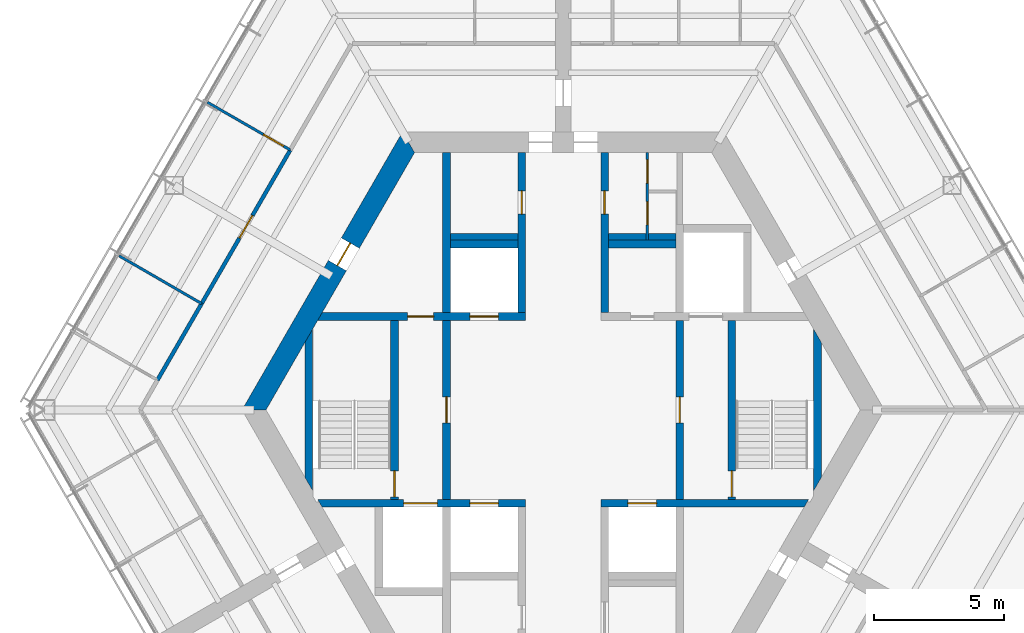
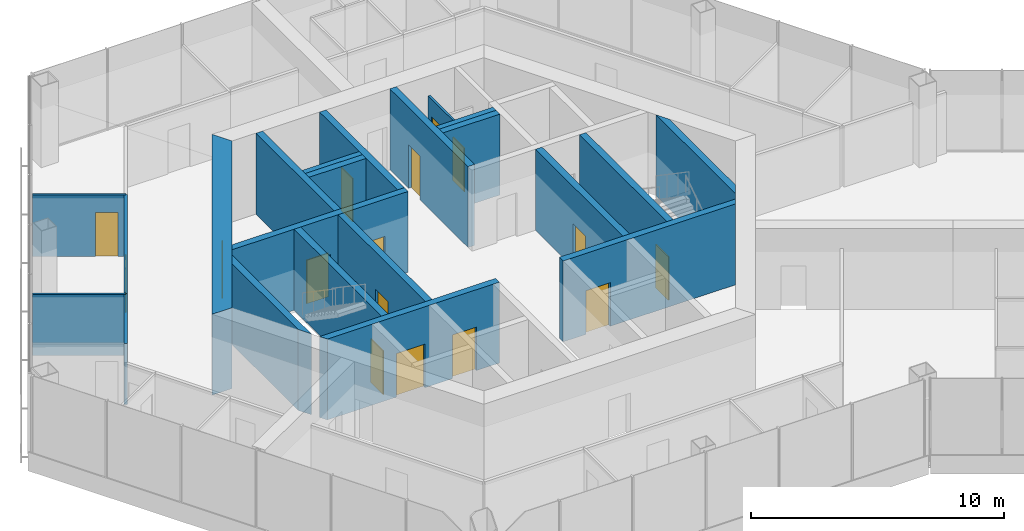
# One storey, part 8 of 13: 22 walls, 16 doors, 16 openings.
"""IFC4 building model written with IfcOpenShell, lengths in metres."""

from ifc_helpers import new_model, si_unit, direction, frame, frame_2d, origin, place, context, subcontext, project, spatial, polyline, rectangle, outline, extrude, material, layer, layer_set, type_object, element, fill, save


model = new_model("IFC4")

# Units and contexts
model_context = context("Model", 3, precision=1e-05, world=origin(), true_north=direction((0.0, 1.0)))
body_context = subcontext(model_context, "Body", "Model", "MODEL_VIEW")
ifc_project = project(units=[si_unit("LENGTHUNIT", "METRE"), si_unit("AREAUNIT", "SQUARE_METRE"), si_unit("VOLUMEUNIT", "CUBIC_METRE"), si_unit("PLANEANGLEUNIT", "RADIAN"), si_unit("MASSUNIT", "GRAM", prefix="KILO")], contexts=[model_context])

# Site, building, storey
site_placement = place(None, origin())
site = spatial("IfcSite", under=ifc_project, at=site_placement, CompositionType="ELEMENT")
building_placement = place(site_placement, origin())
building = spatial("IfcBuilding", under=site, at=building_placement, Name="Kasaneha Research Tower", CompositionType="ELEMENT")
storey_placement = place(building_placement, frame((0.0, 0.0, 286.89990234375)))
storey = spatial("IfcBuildingStorey", under=building, at=storey_placement, Name="L72", CompositionType="ELEMENT", Elevation=286.89990234375)

# Wall, openings, doors
ifc_material_1 = material(Name="Concrete Fc60", Category="concrete")
ifc_layer_1 = layer(ifc_material_1, 0.300048828125)
ifc_layer_set_1 = layer_set([ifc_layer_1], Name="Core internal wall 300 Fc60")
wall_type_1 = type_object("IfcWallType", Name="Core internal wall 300 Fc60", PredefinedType="SHEAR", material=ifc_layer_set_1)
wall_1_placement = place(storey_placement, frame((-9.3818359375, 3.60009765625, 0.0), z_axis=(0.0, 0.0, 1.0), x_axis=(1.0, 0.0, 0.0)))
wall_1 = element("IfcWall", 1, at=wall_1_placement, inside=storey, type_object=wall_type_1, Name="Core wall W1W L72", PredefinedType="SHEAR", context=body_context, shape_type="SweptSolid", body=[
    extrude(outline(polyline([(-0.086669921875, -0.14990234375), (3.3818359375, -0.14990234375), (4.3818359375, -0.14990234375), (5.781982421875, -0.14990234375), (6.882080078125, -0.14990234375), (7.931884765625, -0.14990234375), (7.931884765625, 0.14990234375), (6.882080078125, 0.14990234375), (5.781982421875, 0.14990234375), (4.3818359375, 0.14990234375), (3.3818359375, 0.14990234375), (0.086669921875, 0.14990234375), (-0.086669921875, -0.14990234375)])), origin(), (0.0, 0.0, 1.0), 3.900146484375),
])
opening_1_placement = place(wall_1_placement, frame((3.3818359375, 0.0, 0.0)))
opening_1 = element("IfcOpeningElement", 2, at=opening_1_placement, cuts=wall_1, Name="Opening L72-D12", PredefinedType="OPENING", context=body_context, shape_type="SweptSolid", body=[
    extrude(rectangle(XDim=1.0, YDim=2.10009765625, at=frame_2d((0.5, 1.050048828125))), frame((0.0, 0.16015625, 0.0), z_axis=(0.0, -1.0, 0.0), x_axis=(1.0, 0.0, 0.0)), (0.0, 0.0, 1.0), 0.320068359375),
])
opening_2_placement = place(wall_1_placement, frame((5.781982421875, 0.0, 0.0)))
opening_2 = element("IfcOpeningElement", 3, at=opening_2_placement, cuts=wall_1, Name="Opening LD-LH2-L72", PredefinedType="OPENING", context=body_context, shape_type="SweptSolid", body=[
    extrude(rectangle(XDim=1.10009765625, YDim=2.10009765625, at=frame_2d((0.550048828125, 1.050048828125))), frame((0.0, 0.16015625, 0.0), z_axis=(0.0, -1.0, 0.0), x_axis=(1.0, 0.0, 0.0)), (0.0, 0.0, 1.0), 0.320068359375),
])
ifc_material_2 = material(Name="Steel", Category="steel")
door_type_1 = type_object("IfcDoorType", Name="Lift landing door 1100x2100", OperationType="DOUBLE_DOOR_SLIDING", PredefinedType="DOOR", material=ifc_material_2)
door_1_placement = place(opening_2_placement, origin())
door_1 = element("IfcDoor", 4, at=door_1_placement, inside=storey, type_object=door_type_1, Name="Landing door LH2 LD-LH2-L72", OperationType="DOUBLE_DOOR_SLIDING", OverallHeight=2.10009765625, OverallWidth=1.10009765625, PredefinedType="DOOR", context=body_context, shape_type="SweptSolid", body=[
    extrude(rectangle(XDim=1.10009765625, YDim=2.10009765625, at=frame_2d((0.550048828125, 1.050048828125))), frame((0.0, 0.02490234375, 0.0), z_axis=(0.0, -1.0, 0.0), x_axis=(1.0, 0.0, 0.0)), (0.0, 0.0, 1.0), 0.050048828125),
])
fill(opening_2, door_1)
ifc_material_3 = material(Name="Steel", Category="steel")
door_type_2 = type_object("IfcDoorType", Name="Specified fire door FD60 1000x2100", OperationType="NOTDEFINED", PredefinedType="DOOR", material=ifc_material_3)
door_2_placement = place(opening_1_placement, origin())
door_2 = element("IfcDoor", 5, at=door_2_placement, inside=storey, type_object=door_type_2, Name="Vestibule to lobby door L72-D12", OperationType="SINGLE_SWING_LEFT", OverallHeight=2.10009765625, OverallWidth=1.0, PredefinedType="DOOR", context=body_context, shape_type="SweptSolid", body=[
    extrude(rectangle(XDim=1.0, YDim=2.10009765625, at=frame_2d((0.5, 1.050048828125))), frame((0.0, 0.02490234375, 0.0), z_axis=(0.0, -1.0, 0.0), x_axis=(1.0, 0.0, 0.0)), (0.0, 0.0, 1.0), 0.050048828125),
])
fill(opening_1, door_2)

wall_2_placement = place(storey_placement, frame((-9.3818359375, -3.60009765625, 0.0), z_axis=(0.0, 0.0, 1.0), x_axis=(1.0, 0.0, 0.0)))
wall_2 = element("IfcWall", 6, at=wall_2_placement, inside=storey, type_object=wall_type_1, Name="Core wall W2W L72", PredefinedType="SHEAR", context=body_context, shape_type="SweptSolid", body=[
    extrude(outline(polyline([(0.086669921875, -0.14990234375), (3.23193359375, -0.14990234375), (4.531982421875, -0.14990234375), (5.781982421875, -0.14990234375), (6.882080078125, -0.14990234375), (7.931884765625, -0.14990234375), (7.931884765625, 0.14990234375), (6.882080078125, 0.14990234375), (5.781982421875, 0.14990234375), (4.531982421875, 0.14990234375), (3.23193359375, 0.14990234375), (-0.086669921875, 0.14990234375), (0.086669921875, -0.14990234375)])), origin(), (0.0, 0.0, 1.0), 3.900146484375),
])
opening_3_placement = place(wall_2_placement, frame((5.781982421875, 0.0, 0.0)))
opening_3 = element("IfcOpeningElement", 7, at=opening_3_placement, cuts=wall_2, Name="Opening LD-LH1-L72", PredefinedType="OPENING", context=body_context, shape_type="SweptSolid", body=[
    extrude(rectangle(XDim=1.10009765625, YDim=2.10009765625, at=frame_2d((0.550048828125, 1.050048828125))), frame((0.0, 0.16015625, 0.0), z_axis=(0.0, -1.0, 0.0), x_axis=(1.0, 0.0, 0.0)), (0.0, 0.0, 1.0), 0.320068359375),
])
opening_4_placement = place(wall_2_placement, frame((3.23193359375, 0.0, 0.0)))
opening_4 = element("IfcOpeningElement", 8, at=opening_4_placement, cuts=wall_2, Name="Opening LD-FL2-L72", PredefinedType="OPENING", context=body_context, shape_type="SweptSolid", body=[
    extrude(rectangle(XDim=1.300048828125, YDim=2.10009765625, at=frame_2d((0.64990234375, 1.050048828125))), frame((0.0, 0.16015625, 0.0), z_axis=(0.0, -1.0, 0.0), x_axis=(1.0, 0.0, 0.0)), (0.0, 0.0, 1.0), 0.320068359375),
])
door_3_placement = place(opening_3_placement, origin())
door_3 = element("IfcDoor", 9, at=door_3_placement, inside=storey, type_object=door_type_1, Name="Landing door LH1 LD-LH1-L72", OperationType="DOUBLE_DOOR_SLIDING", OverallHeight=2.10009765625, OverallWidth=1.10009765625, PredefinedType="DOOR", context=body_context, shape_type="SweptSolid", body=[
    extrude(rectangle(XDim=1.10009765625, YDim=2.10009765625, at=frame_2d((0.550048828125, 1.050048828125))), frame((0.0, 0.02490234375, 0.0), z_axis=(0.0, -1.0, 0.0), x_axis=(1.0, 0.0, 0.0)), (0.0, 0.0, 1.0), 0.050048828125),
])
fill(opening_3, door_3)
ifc_material_4 = material(Name="Steel", Category="steel")
door_type_3 = type_object("IfcDoorType", Name="Lift landing door 1300x2100", OperationType="DOUBLE_DOOR_SLIDING", PredefinedType="DOOR", material=ifc_material_4)
door_4_placement = place(opening_4_placement, origin())
door_4 = element("IfcDoor", 10, at=door_4_placement, inside=storey, type_object=door_type_3, Name="Landing door FL2 LD-FL2-L72", OperationType="DOUBLE_DOOR_SLIDING", OverallHeight=2.10009765625, OverallWidth=1.300048828125, PredefinedType="DOOR", context=body_context, shape_type="SweptSolid", body=[
    extrude(rectangle(XDim=1.300048828125, YDim=2.10009765625, at=frame_2d((0.64990234375, 1.050048828125))), frame((0.0, 0.02490234375, 0.0), z_axis=(0.0, -1.0, 0.0), x_axis=(1.0, 0.0, 0.0)), (0.0, 0.0, 1.0), 0.050048828125),
])
fill(opening_4, door_4)

# Wall, opening, door
wall_3_placement = place(storey_placement, frame((1.449951171875, -3.60009765625, 0.0), z_axis=(0.0, 0.0, 1.0), x_axis=(1.0, 0.0, 0.0)))
wall_3 = element("IfcWall", 11, at=wall_3_placement, inside=storey, type_object=wall_type_1, Name="Core wall W2E L72", PredefinedType="SHEAR", context=body_context, shape_type="SweptSolid", body=[
    extrude(outline(polyline([(0.0, -0.14990234375), (1.050048828125, -0.14990234375), (2.150146484375, -0.14990234375), (7.84521484375, -0.14990234375), (8.0185546875, 0.14990234375), (2.150146484375, 0.14990234375), (1.050048828125, 0.14990234375), (0.0, 0.14990234375), (0.0, -0.14990234375)])), origin(), (0.0, 0.0, 1.0), 3.900146484375),
])
opening_5_placement = place(wall_3_placement, frame((1.050048828125, 0.0, 0.0)))
opening_5 = element("IfcOpeningElement", 12, at=opening_5_placement, cuts=wall_3, Name="Opening LD-LH3-L72", PredefinedType="OPENING", context=body_context, shape_type="SweptSolid", body=[
    extrude(rectangle(XDim=1.10009765625, YDim=2.10009765625, at=frame_2d((0.550048828125, 1.050048828125))), frame((0.0, 0.16015625, 0.0), z_axis=(0.0, -1.0, 0.0), x_axis=(1.0, 0.0, 0.0)), (0.0, 0.0, 1.0), 0.320068359375),
])
door_5_placement = place(opening_5_placement, origin())
door_5 = element("IfcDoor", 13, at=door_5_placement, inside=storey, type_object=door_type_1, Name="Landing door LH3 LD-LH3-L72", OperationType="DOUBLE_DOOR_SLIDING", OverallHeight=2.10009765625, OverallWidth=1.10009765625, PredefinedType="DOOR", context=body_context, shape_type="SweptSolid", body=[
    extrude(rectangle(XDim=1.10009765625, YDim=2.10009765625, at=frame_2d((0.550048828125, 1.050048828125))), frame((0.0, 0.02490234375, 0.0), z_axis=(0.0, -1.0, 0.0), x_axis=(1.0, 0.0, 0.0)), (0.0, 0.0, 1.0), 0.050048828125),
])
fill(opening_5, door_5)

wall_4_placement = place(storey_placement, frame((-1.60009765625, 3.75, 0.0), z_axis=(0.0, 0.0, 1.0), x_axis=(0.0, 1.0, 0.0)))
wall_4 = element("IfcWall", 14, at=wall_4_placement, inside=storey, type_object=wall_type_1, Name="Core wall CNW L72", PredefinedType="SHEAR", context=body_context, shape_type="SweptSolid", body=[
    extrude(rectangle(XDim=6.175048828125, YDim=0.300048828125, at=frame_2d((3.08740234375, 0.0))), origin(), (0.0, 0.0, 1.0), 3.900146484375),
])
opening_6_placement = place(wall_4_placement, frame((3.800048828125, 0.0, 0.0)))
opening_6 = element("IfcOpeningElement", 15, at=opening_6_placement, cuts=wall_4, Name="Opening L72-D13", PredefinedType="OPENING", context=body_context, shape_type="SweptSolid", body=[
    extrude(rectangle(XDim=0.89990234375, YDim=2.10009765625, at=frame_2d((0.449951171875, 1.050048828125))), frame((0.0, 0.16015625, 0.0), z_axis=(0.0, -1.0, 0.0), x_axis=(1.0, 0.0, 0.0)), (0.0, 0.0, 1.0), 0.320068359375),
])
ifc_material_5 = material(Name="Steel", Category="steel")
door_type_4 = type_object("IfcDoorType", Name="Toilet door FD20 900x2100", OperationType="NOTDEFINED", PredefinedType="DOOR", material=ifc_material_5)
door_6_placement = place(opening_6_placement, origin())
door_6 = element("IfcDoor", 16, at=door_6_placement, inside=storey, type_object=door_type_4, Name="Men's WC door L72-D13", OperationType="SINGLE_SWING_LEFT", OverallHeight=2.10009765625, OverallWidth=0.89990234375, PredefinedType="DOOR", context=body_context, shape_type="SweptSolid", body=[
    extrude(rectangle(XDim=0.89990234375, YDim=2.10009765625, at=frame_2d((0.449951171875, 1.050048828125))), frame((0.0, 0.02490234375, 0.0), z_axis=(0.0, -1.0, 0.0), x_axis=(1.0, 0.0, 0.0)), (0.0, 0.0, 1.0), 0.050048828125),
])
fill(opening_6, door_6)

wall_5_placement = place(storey_placement, frame((1.60009765625, 3.75, 0.0), z_axis=(0.0, 0.0, 1.0), x_axis=(0.0, 1.0, 0.0)))
wall_5 = element("IfcWall", 17, at=wall_5_placement, inside=storey, type_object=wall_type_1, Name="Core wall CNE L72", PredefinedType="SHEAR", context=body_context, shape_type="SweptSolid", body=[
    extrude(rectangle(XDim=6.175048828125, YDim=0.300048828125, at=frame_2d((3.08740234375, 0.0))), origin(), (0.0, 0.0, 1.0), 3.900146484375),
])
opening_7_placement = place(wall_5_placement, frame((3.800048828125, 0.0, 0.0)))
opening_7 = element("IfcOpeningElement", 18, at=opening_7_placement, cuts=wall_5, Name="Opening L72-D14", PredefinedType="OPENING", context=body_context, shape_type="SweptSolid", body=[
    extrude(rectangle(XDim=0.89990234375, YDim=2.10009765625, at=frame_2d((0.449951171875, 1.050048828125))), frame((0.0, 0.16015625, 0.0), z_axis=(0.0, -1.0, 0.0), x_axis=(1.0, 0.0, 0.0)), (0.0, 0.0, 1.0), 0.320068359375),
])
door_7_placement = place(opening_7_placement, origin())
door_7 = element("IfcDoor", 19, at=door_7_placement, inside=storey, type_object=door_type_4, Name="Women's WC door L72-D14", OperationType="SINGLE_SWING_LEFT", OverallHeight=2.10009765625, OverallWidth=0.89990234375, PredefinedType="DOOR", context=body_context, shape_type="SweptSolid", body=[
    extrude(rectangle(XDim=0.89990234375, YDim=2.10009765625, at=frame_2d((0.449951171875, 1.050048828125))), frame((0.0, 0.02490234375, 0.0), z_axis=(0.0, -1.0, 0.0), x_axis=(1.0, 0.0, 0.0)), (0.0, 0.0, 1.0), 0.050048828125),
])
fill(opening_7, door_7)

wall_6_placement = place(storey_placement, frame((-4.5, -3.449951171875, 0.0), z_axis=(0.0, 0.0, 1.0), x_axis=(0.0, 1.0, 0.0)))
wall_6 = element("IfcWall", 20, at=wall_6_placement, inside=storey, type_object=wall_type_1, Name="Core wall LBW L72", PredefinedType="SHEAR", context=body_context, shape_type="SweptSolid", body=[
    extrude(rectangle(XDim=6.89990234375, YDim=0.300048828125, at=frame_2d((3.449951171875, 0.0))), origin(), (0.0, 0.0, 1.0), 3.900146484375),
])
opening_8_placement = place(wall_6_placement, frame((2.949951171875, 0.0, 0.0)))
opening_8 = element("IfcOpeningElement", 21, at=opening_8_placement, cuts=wall_6, Name="Opening L72-D09", PredefinedType="OPENING", context=body_context, shape_type="SweptSolid", body=[
    extrude(rectangle(XDim=1.0, YDim=2.10009765625, at=frame_2d((0.5, 1.050048828125))), frame((0.0, 0.16015625, 0.0), z_axis=(0.0, -1.0, 0.0), x_axis=(1.0, 0.0, 0.0)), (0.0, 0.0, 1.0), 0.320068359375),
])
door_8_placement = place(opening_8_placement, origin())
door_8 = element("IfcDoor", 22, at=door_8_placement, inside=storey, type_object=door_type_2, Name="Lift lobby door west L72-D09", OperationType="SINGLE_SWING_LEFT", OverallHeight=2.10009765625, OverallWidth=1.0, PredefinedType="DOOR", context=body_context, shape_type="SweptSolid", body=[
    extrude(rectangle(XDim=1.0, YDim=2.10009765625, at=frame_2d((0.5, 1.050048828125))), frame((0.0, 0.02490234375, 0.0), z_axis=(0.0, -1.0, 0.0), x_axis=(1.0, 0.0, 0.0)), (0.0, 0.0, 1.0), 0.050048828125),
])
fill(opening_8, door_8)

wall_7_placement = place(storey_placement, frame((4.5, -3.449951171875, 0.0), z_axis=(0.0, 0.0, 1.0), x_axis=(0.0, 1.0, 0.0)))
wall_7 = element("IfcWall", 23, at=wall_7_placement, inside=storey, type_object=wall_type_1, Name="Core wall LBE L72", PredefinedType="SHEAR", context=body_context, shape_type="SweptSolid", body=[
    extrude(rectangle(XDim=6.89990234375, YDim=0.300048828125, at=frame_2d((3.449951171875, 0.0))), origin(), (0.0, 0.0, 1.0), 3.900146484375),
])
opening_9_placement = place(wall_7_placement, frame((2.949951171875, 0.0, 0.0)))
opening_9 = element("IfcOpeningElement", 24, at=opening_9_placement, cuts=wall_7, Name="Opening L72-D08", PredefinedType="OPENING", context=body_context, shape_type="SweptSolid", body=[
    extrude(rectangle(XDim=1.0, YDim=2.10009765625, at=frame_2d((0.5, 1.050048828125))), frame((0.0, 0.16015625, 0.0), z_axis=(0.0, -1.0, 0.0), x_axis=(1.0, 0.0, 0.0)), (0.0, 0.0, 1.0), 0.320068359375),
])
door_9_placement = place(opening_9_placement, origin())
door_9 = element("IfcDoor", 25, at=door_9_placement, inside=storey, type_object=door_type_2, Name="Lift lobby door east L72-D08", OperationType="SINGLE_SWING_LEFT", OverallHeight=2.10009765625, OverallWidth=1.0, PredefinedType="DOOR", context=body_context, shape_type="SweptSolid", body=[
    extrude(rectangle(XDim=1.0, YDim=2.10009765625, at=frame_2d((0.5, 1.050048828125))), frame((0.0, 0.02490234375, 0.0), z_axis=(0.0, -1.0, 0.0), x_axis=(1.0, 0.0, 0.0)), (0.0, 0.0, 1.0), 0.050048828125),
])
fill(opening_9, door_9)

wall_8_placement = place(storey_placement, frame((-6.5, -3.449951171875, 0.0), z_axis=(0.0, 0.0, 1.0), x_axis=(0.0, 1.0, 0.0)))
wall_8 = element("IfcWall", 26, at=wall_8_placement, inside=storey, type_object=wall_type_1, Name="Core wall ANW L72", PredefinedType="SHEAR", context=body_context, shape_type="SweptSolid", body=[
    extrude(rectangle(XDim=6.89990234375, YDim=0.300048828125, at=frame_2d((3.449951171875, 0.0))), origin(), (0.0, 0.0, 1.0), 3.900146484375),
])
opening_10_placement = place(wall_8_placement, frame((0.10009765625, 0.0, 0.0)))
opening_10 = element("IfcOpeningElement", 27, at=opening_10_placement, cuts=wall_8, Name="Opening L72-D11", PredefinedType="OPENING", context=body_context, shape_type="SweptSolid", body=[
    extrude(rectangle(XDim=1.0, YDim=2.10009765625, at=frame_2d((0.5, 1.050048828125))), frame((0.0, 0.16015625, 0.0), z_axis=(0.0, -1.0, 0.0), x_axis=(1.0, 0.0, 0.0)), (0.0, 0.0, 1.0), 0.320068359375),
])
door_10_placement = place(opening_10_placement, origin())
door_10 = element("IfcDoor", 28, at=door_10_placement, inside=storey, type_object=door_type_2, Name="Stair 2 door L72-D11", OperationType="SINGLE_SWING_LEFT", OverallHeight=2.10009765625, OverallWidth=1.0, PredefinedType="DOOR", context=body_context, shape_type="SweptSolid", body=[
    extrude(rectangle(XDim=1.0, YDim=2.10009765625, at=frame_2d((0.5, 1.050048828125))), frame((0.0, 0.02490234375, 0.0), z_axis=(0.0, -1.0, 0.0), x_axis=(1.0, 0.0, 0.0)), (0.0, 0.0, 1.0), 0.050048828125),
])
fill(opening_10, door_10)

wall_9_placement = place(storey_placement, frame((6.5, -3.449951171875, 0.0), z_axis=(0.0, 0.0, 1.0), x_axis=(0.0, 1.0, 0.0)))
wall_9 = element("IfcWall", 29, at=wall_9_placement, inside=storey, type_object=wall_type_1, Name="Core wall ANE L72", PredefinedType="SHEAR", context=body_context, shape_type="SweptSolid", body=[
    extrude(rectangle(XDim=6.89990234375, YDim=0.300048828125, at=frame_2d((3.449951171875, 0.0))), origin(), (0.0, 0.0, 1.0), 3.900146484375),
])
opening_11_placement = place(wall_9_placement, frame((0.10009765625, 0.0, 0.0)))
opening_11 = element("IfcOpeningElement", 30, at=opening_11_placement, cuts=wall_9, Name="Opening L72-D10", PredefinedType="OPENING", context=body_context, shape_type="SweptSolid", body=[
    extrude(rectangle(XDim=1.0, YDim=2.10009765625, at=frame_2d((0.5, 1.050048828125))), frame((0.0, 0.16015625, 0.0), z_axis=(0.0, -1.0, 0.0), x_axis=(1.0, 0.0, 0.0)), (0.0, 0.0, 1.0), 0.320068359375),
])
door_11_placement = place(opening_11_placement, origin())
door_11 = element("IfcDoor", 31, at=door_11_placement, inside=storey, type_object=door_type_2, Name="Stair 1 door L72-D10", OperationType="SINGLE_SWING_LEFT", OverallHeight=2.10009765625, OverallWidth=1.0, PredefinedType="DOOR", context=body_context, shape_type="SweptSolid", body=[
    extrude(rectangle(XDim=1.0, YDim=2.10009765625, at=frame_2d((0.5, 1.050048828125))), frame((0.0, 0.02490234375, 0.0), z_axis=(0.0, -1.0, 0.0), x_axis=(1.0, 0.0, 0.0)), (0.0, 0.0, 1.0), 0.050048828125),
])
fill(opening_11, door_11)

# Walls
wall_10_placement = place(storey_placement, frame((-4.5, 3.75, 0.0), z_axis=(0.0, 0.0, 1.0), x_axis=(0.0, 1.0, 0.0)))
element("IfcWall", 32, at=wall_10_placement, inside=storey, type_object=wall_type_1, Name="Core wall VNW L72", PredefinedType="SHEAR", context=body_context, shape_type="SweptSolid", body=[
    extrude(rectangle(XDim=6.175048828125, YDim=0.300048828125, at=frame_2d((3.08740234375, 0.0))), origin(), (0.0, 0.0, 1.0), 3.900146484375),
])
for number, where, z_axis, x_axis, name in (
    (33, (-4.35009765625, 6.39990234375, 0.0), (0.0, 0.0, 1.0), (1.0, 0.0, 0.0), "Core wall N1N L72"),
    (34, (1.75, 6.39990234375, 0.0), (0.0, 0.0, 1.0), (1.0, 0.0, 0.0), "Core wall N3N L72"),
):
    element("IfcWall", number, at=place(storey_placement, frame(where, z_axis=z_axis, x_axis=x_axis)), inside=storey, type_object=wall_type_1, Name=name, PredefinedType="SHEAR", context=body_context, shape_type="SweptSolid", body=[
        extrude(rectangle(XDim=2.60009765625, YDim=0.300048828125, at=frame_2d((1.300048828125, 0.0))), origin(), (0.0, 0.0, 1.0), 3.900146484375),
    ])
wall_11_placement = place(storey_placement, frame((9.807861328125, -2.8623046875, 0.0), z_axis=(0.0, 0.0, 1.0), x_axis=(0.0, 1.0, 0.0)))
element("IfcWall", 35, at=wall_11_placement, inside=storey, type_object=wall_type_1, Name="Core wall STE L72", PredefinedType="SHEAR", context=body_context, shape_type="SweptSolid", body=[
    extrude(outline(polyline([(0.259765625, -0.14990234375), (5.46484375, -0.14990234375), (5.984375, 0.14990234375), (-0.259765625, 0.14990234375), (0.259765625, -0.14990234375)])), origin(), (0.0, 0.0, 1.0), 3.900146484375),
])
wall_12_placement = place(storey_placement, frame((-9.807861328125, -2.8623046875, 0.0), z_axis=(0.0, 0.0, 1.0), x_axis=(0.0, 1.0, 0.0)))
element("IfcWall", 36, at=wall_12_placement, inside=storey, type_object=wall_type_1, Name="Core wall STW L72", PredefinedType="SHEAR", context=body_context, shape_type="SweptSolid", body=[
    extrude(outline(polyline([(-0.259765625, -0.14990234375), (5.984375, -0.14990234375), (5.46484375, 0.14990234375), (0.259765625, 0.14990234375), (-0.259765625, -0.14990234375)])), origin(), (0.0, 0.0, 1.0), 3.900146484375),
])

# Wall, opening, door
ifc_material_6 = material(Name="Concrete Fc60", Category="concrete")
ifc_layer_2 = layer(ifc_material_6, 0.800048828125)
ifc_layer_set_2 = layer_set([ifc_layer_2], Name="Core wall 800 Fc60")
wall_type_2 = type_object("IfcWallType", Name="Core wall 800 Fc60", PredefinedType="SHEAR", material=ifc_layer_set_2)
wall_13_placement = place(storey_placement, frame((-5.961181640625, 10.324951171875, 0.0), z_axis=(0.0, 0.0, 1.0), x_axis=(-0.500004296715, -0.866022923061, 0.0)))
wall_13 = element("IfcWall", 37, at=wall_13_placement, inside=storey, type_object=wall_type_2, Name="Core wall 150 L72", PredefinedType="SHEAR", context=body_context, shape_type="SweptSolid", body=[
    extrude(outline(polyline([(-0.23095703125, -0.39990234375), (4.494140625, -0.39990234375), (5.494140625, -0.39990234375), (12.1533203125, -0.39990234375), (11.69140625, 0.39990234375), (5.494140625, 0.39990234375), (4.494140625, 0.39990234375), (0.23095703125, 0.39990234375), (-0.23095703125, -0.39990234375)])), origin(), (0.0, 0.0, 1.0), 3.900146484375),
])
opening_12_placement = place(wall_13_placement, frame((4.494140625, 0.0, 0.0)))
opening_12 = element("IfcOpeningElement", 38, at=opening_12_placement, cuts=wall_13, Name="Opening L72-D07", PredefinedType="OPENING", context=body_context, shape_type="SweptSolid", body=[
    extrude(rectangle(XDim=1.0, YDim=2.10009765625, at=frame_2d((0.5, 1.050048828125))), frame((0.0, 0.41015625, 0.0), z_axis=(0.0, -1.0, 0.0), x_axis=(1.0, 0.0, 0.0)), (0.0, 0.0, 1.0), 0.820068359375),
])
ifc_material_7 = material(Name="Steel", Category="steel")
door_type_5 = type_object("IfcDoorType", Name="Fire door FD20 1000x2100", OperationType="NOTDEFINED", PredefinedType="DOOR", material=ifc_material_7)
door_12_placement = place(opening_12_placement, origin())
door_12 = element("IfcDoor", 39, at=door_12_placement, inside=storey, type_object=door_type_5, Name="Vestibule door L72-D07", OperationType="SINGLE_SWING_LEFT", OverallHeight=2.10009765625, OverallWidth=1.0, PredefinedType="DOOR", context=body_context, shape_type="SweptSolid", body=[
    extrude(rectangle(XDim=1.0, YDim=2.10009765625, at=frame_2d((0.5, 1.050048828125))), frame((0.0, 0.02490234375, 0.0), z_axis=(0.0, -1.0, 0.0), x_axis=(1.0, 0.0, 0.0)), (0.0, 0.0, 1.0), 0.050048828125),
])
fill(opening_12, door_12)

# Wall, openings, doors
ifc_material_8 = material(Name="Gypsum board on steel studs, one layer each side", Category="steel")
ifc_layer_3 = layer(ifc_material_8, 0.10009765625)
ifc_layer_set_3 = layer_set([ifc_layer_3], Name="Office partition 100")
wall_type_3 = type_object("IfcWallType", Name="Office partition 100", PredefinedType="PARTITIONING", material=ifc_layer_set_3)
wall_14_placement = place(storey_placement, frame((3.25, 6.550048828125, 0.0), z_axis=(0.0, 0.0, 1.0), x_axis=(0.0, 1.0, 0.0)))
wall_14 = element("IfcWall", 40, at=wall_14_placement, inside=storey, type_object=wall_type_3, Name="Office partition TBF1 L72", PredefinedType="PARTITIONING", context=body_context, shape_type="SweptSolid", body=[
    extrude(rectangle(XDim=3.375, YDim=0.10009765625, at=frame_2d((1.6875, 0.0))), origin(), (0.0, 0.0, 1.0), 2.9501953125),
])
opening_13_placement = place(wall_14_placement, frame((0.58740234375, 0.0, 0.0)))
opening_13 = element("IfcOpeningElement", 41, at=opening_13_placement, cuts=wall_14, Name="Opening L72-D21", PredefinedType="OPENING", context=body_context, shape_type="SweptSolid", body=[
    extrude(rectangle(XDim=0.89990234375, YDim=2.10009765625, at=frame_2d((0.449951171875, 1.050048828125))), frame((0.0, 0.06005859375, 0.0), z_axis=(0.0, -1.0, 0.0), x_axis=(1.0, 0.0, 0.0)), (0.0, 0.0, 1.0), 0.1201171875),
])
opening_14_placement = place(wall_14_placement, frame((2.199951171875, 0.0, 0.0)))
opening_14 = element("IfcOpeningElement", 42, at=opening_14_placement, cuts=wall_14, Name="Opening L72-D22", PredefinedType="OPENING", context=body_context, shape_type="SweptSolid", body=[
    extrude(rectangle(XDim=0.89990234375, YDim=2.10009765625, at=frame_2d((0.449951171875, 1.050048828125))), frame((0.0, 0.06005859375, 0.0), z_axis=(0.0, -1.0, 0.0), x_axis=(1.0, 0.0, 0.0)), (0.0, 0.0, 1.0), 0.1201171875),
])
ifc_material_9 = material(Name="Steel", Category="steel")
door_type_6 = type_object("IfcDoorType", Name="Toilet lobby door FD30 900x2100", OperationType="NOTDEFINED", PredefinedType="DOOR", material=ifc_material_9)
door_13_placement = place(opening_13_placement, origin())
door_13 = element("IfcDoor", 43, at=door_13_placement, inside=storey, type_object=door_type_6, Name="Women's WC door L72-D21", OperationType="SINGLE_SWING_RIGHT", OverallHeight=2.10009765625, OverallWidth=0.89990234375, PredefinedType="DOOR", context=body_context, shape_type="SweptSolid", body=[
    extrude(rectangle(XDim=0.89990234375, YDim=2.10009765625, at=frame_2d((0.449951171875, 1.050048828125))), frame((0.0, 0.02490234375, 0.0), z_axis=(0.0, -1.0, 0.0), x_axis=(1.0, 0.0, 0.0)), (0.0, 0.0, 1.0), 0.050048828125),
])
fill(opening_13, door_13)
door_14_placement = place(opening_14_placement, origin())
door_14 = element("IfcDoor", 44, at=door_14_placement, inside=storey, type_object=door_type_6, Name="Cleaner's store door L72-D22", OperationType="SINGLE_SWING_RIGHT", OverallHeight=2.10009765625, OverallWidth=0.89990234375, PredefinedType="DOOR", context=body_context, shape_type="SweptSolid", body=[
    extrude(rectangle(XDim=0.89990234375, YDim=2.10009765625, at=frame_2d((0.449951171875, 1.050048828125))), frame((0.0, 0.02490234375, 0.0), z_axis=(0.0, -1.0, 0.0), x_axis=(1.0, 0.0, 0.0)), (0.0, 0.0, 1.0), 0.050048828125),
])
fill(opening_14, door_14)

# Wall, opening, door
wall_15_placement = place(storey_placement, frame((-10.522705078125, 10.0244140625, 0.0), z_axis=(0.0, 0.0, 1.0), x_axis=(-0.866669326341, 0.498883031161, 0.0)))
wall_15 = element("IfcWall", 45, at=wall_15_placement, inside=storey, type_object=wall_type_3, Name="Office partition FBN08 L72", PredefinedType="PARTITIONING", context=body_context, shape_type="SweptSolid", body=[
    extrude(rectangle(XDim=3.685546875, YDim=0.10009765625, at=frame_2d((1.8427734375, 0.0))), origin(), (0.0, 0.0, 1.0), 2.9501953125),
])
opening_15_placement = place(wall_15_placement, frame((0.300048828125, 0.0, 0.0)))
opening_15 = element("IfcOpeningElement", 46, at=opening_15_placement, cuts=wall_15, Name="Opening L72-D34", PredefinedType="OPENING", context=body_context, shape_type="SweptSolid", body=[
    extrude(rectangle(XDim=0.89990234375, YDim=2.10009765625, at=frame_2d((0.449951171875, 1.050048828125))), frame((0.0, 0.06005859375, 0.0), z_axis=(0.0, -1.0, 0.0), x_axis=(1.0, 0.0, 0.0)), (0.0, 0.0, 1.0), 0.1201171875),
])
ifc_material_10 = material(Name="Timber veneer", Category="wood")
door_type_7 = type_object("IfcDoorType", Name="Office door 900x2100", OperationType="SINGLE_SWING_LEFT", PredefinedType="DOOR", material=ifc_material_10)
door_15_placement = place(opening_15_placement, origin())
door_15 = element("IfcDoor", 47, at=door_15_placement, inside=storey, type_object=door_type_7, Name="Executive office door L72-D34", OperationType="SINGLE_SWING_LEFT", OverallHeight=2.10009765625, OverallWidth=0.89990234375, PredefinedType="DOOR", context=body_context, shape_type="SweptSolid", body=[
    extrude(rectangle(XDim=0.89990234375, YDim=2.10009765625, at=frame_2d((0.449951171875, 1.050048828125))), frame((0.0, 0.02490234375, 0.0), z_axis=(0.0, -1.0, 0.0), x_axis=(1.0, 0.0, 0.0)), (0.0, 0.0, 1.0), 0.050048828125),
])
fill(opening_15, door_15)

# Walls
wall_16_placement = place(storey_placement, frame((-17.123291015625, 5.9423828125, 0.0), z_axis=(0.0, 0.0, 1.0), x_axis=(0.865383836577, -0.501109584214, 0.0)))
element("IfcWall", 48, at=wall_16_placement, inside=storey, type_object=wall_type_3, Name="Office partition FBN11 L72", PredefinedType="PARTITIONING", context=body_context, shape_type="SweptSolid", body=[
    extrude(rectangle(XDim=3.675537109375, YDim=0.10009765625, at=frame_2d((1.837890625, 0.0))), origin(), (0.0, 0.0, 1.0), 2.9501953125),
])
ifc_material_11 = material(Name="Gypsum board on steel studs, two layers each side", Category="steel")
ifc_layer_4 = layer(ifc_material_11, 0.14990234375)
ifc_layer_set_4 = layer_set([ifc_layer_4], Name="Suite partition 150")
wall_type_4 = type_object("IfcWallType", Name="Suite partition 150", PredefinedType="PARTITIONING", material=ifc_layer_set_4)
wall_17_placement = place(storey_placement, frame((-15.650634765625, 1.142333984375, 0.0), z_axis=(0.0, 0.0, 1.0), x_axis=(0.500032973541, 0.866006365664, 0.0)))
element("IfcWall", 49, at=wall_17_placement, inside=storey, type_object=wall_type_4, Name="Suite partition FBN04 L72", PredefinedType="PARTITIONING", context=body_context, shape_type="SweptSolid", body=[
    extrude(rectangle(XDim=3.425537109375, YDim=0.14990234375, at=frame_2d((1.712890625, 0.0))), origin(), (0.0, 0.0, 1.0), 2.9501953125),
])

# Wall, opening, door
wall_18_placement = place(storey_placement, frame((-13.942626953125, 4.1005859375, 0.0), z_axis=(0.0, 0.0, 1.0), x_axis=(0.499977863513, 0.866038183914, 0.0)))
wall_18 = element("IfcWall", 50, at=wall_18_placement, inside=storey, type_object=wall_type_4, Name="Suite partition FBN05 L72", PredefinedType="PARTITIONING", context=body_context, shape_type="SweptSolid", body=[
    extrude(rectangle(XDim=6.840087890625, YDim=0.14990234375, at=frame_2d((3.419921875, 0.0))), origin(), (0.0, 0.0, 1.0), 2.9501953125),
])
opening_16_placement = place(wall_18_placement, frame((2.919921875, 0.0, 0.0)))
opening_16 = element("IfcOpeningElement", 51, at=opening_16_placement, cuts=wall_18, Name="Opening L72-D32", PredefinedType="OPENING", context=body_context, shape_type="SweptSolid", body=[
    extrude(rectangle(XDim=1.0, YDim=2.10009765625, at=frame_2d((0.5, 1.050048828125))), frame((0.0, 0.0849609375, 0.0), z_axis=(0.0, -1.0, 0.0), x_axis=(1.0, 0.0, 0.0)), (0.0, 0.0, 1.0), 0.169921875),
])
ifc_material_12 = material(Name="Steel", Category="steel")
door_type_8 = type_object("IfcDoorType", Name="Suite entrance door FD60 1000x2100", OperationType="NOTDEFINED", PredefinedType="DOOR", material=ifc_material_12)
door_16_placement = place(opening_16_placement, origin())
door_16 = element("IfcDoor", 52, at=door_16_placement, inside=storey, type_object=door_type_8, Name="Suite entrance door L72-D32", OperationType="SINGLE_SWING_RIGHT", OverallHeight=2.10009765625, OverallWidth=1.0, PredefinedType="DOOR", context=body_context, shape_type="SweptSolid", body=[
    extrude(rectangle(XDim=1.0, YDim=2.10009765625, at=frame_2d((0.5, 1.050048828125))), frame((0.0, 0.02490234375, 0.0), z_axis=(0.0, -1.0, 0.0), x_axis=(1.0, 0.0, 0.0)), (0.0, 0.0, 1.0), 0.050048828125),
])
fill(opening_16, door_16)

# Walls
ifc_material_13 = material(Name="Concrete block lining", Category="concrete")
ifc_layer_5 = layer(ifc_material_13, 0.25)
ifc_layer_set_5 = layer_set([ifc_layer_5], Name="WC plumbing wall 250")
wall_type_5 = type_object("IfcWallType", Name="WC plumbing wall 250", PredefinedType="PLUMBINGWALL", material=ifc_layer_set_5)
for number, where, z_axis, x_axis, name in (
    (53, (-4.35009765625, 6.675048828125, 0.0), (0.0, 0.0, 1.0), (1.0, 0.0, 0.0), "WC plumbing wall M L72"),
    (54, (1.75, 6.675048828125, 0.0), (0.0, 0.0, 1.0), (1.0, 0.0, 0.0), "WC plumbing wall F L72"),
):
    element("IfcWall", number, at=place(storey_placement, frame(where, z_axis=z_axis, x_axis=x_axis)), inside=storey, type_object=wall_type_5, Name=name, PredefinedType="PLUMBINGWALL", context=body_context, shape_type="SweptSolid", body=[
        extrude(rectangle(XDim=2.60009765625, YDim=0.25, at=frame_2d((1.300048828125, 0.0))), origin(), (0.0, 0.0, 1.0), 3.900146484375),
    ])

save(model, "model.ifc")
